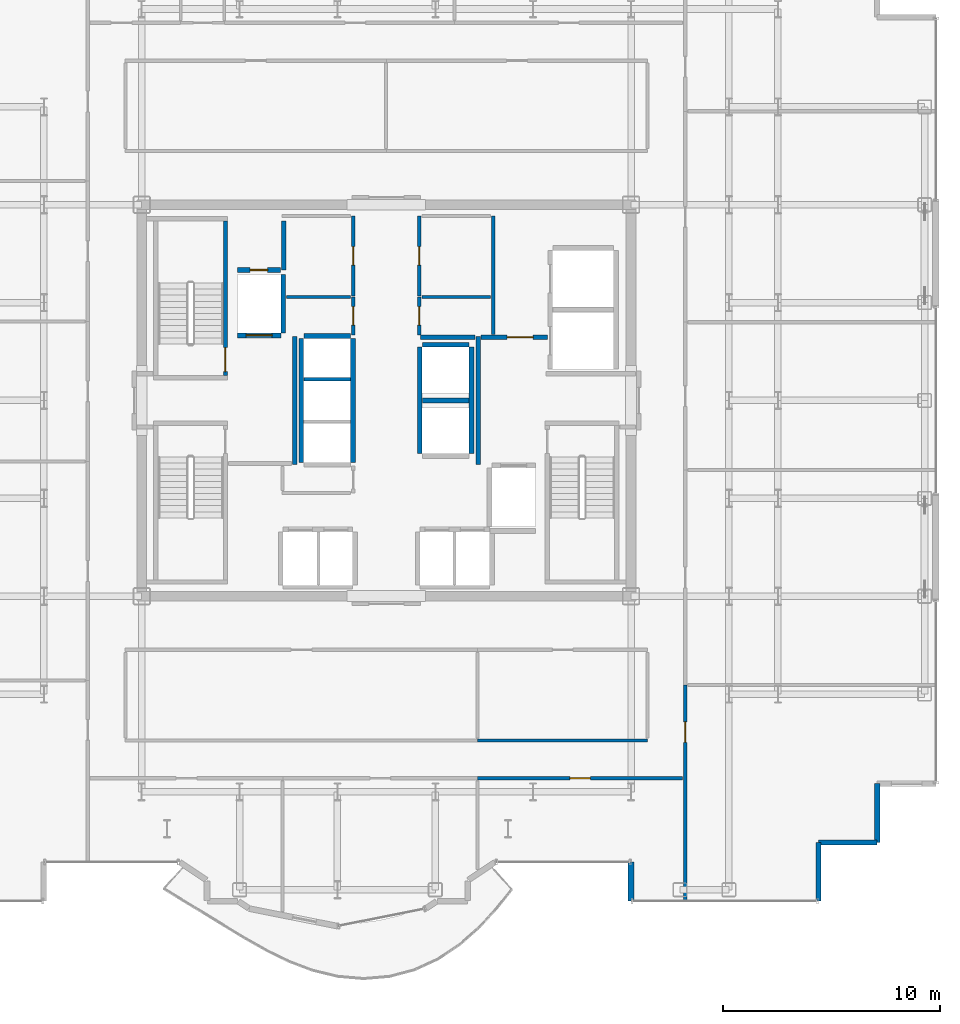
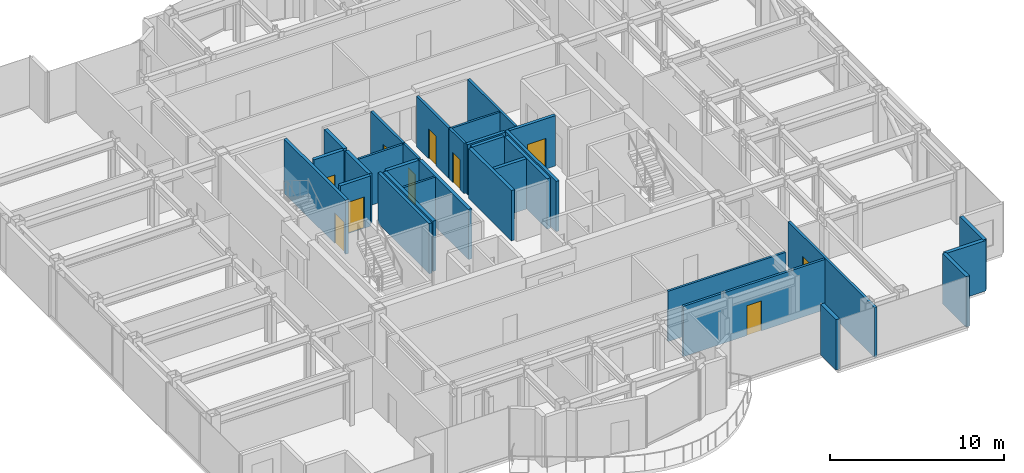
# One storey, part 17 of 22: 31 walls, 10 doors, 10 openings.
"""IFC4 building model written with IfcOpenShell, lengths in metres."""

import ifcopenshell
import ifcopenshell.guid

model = None  # the IFC model being written
_history = None  # IfcOwnerHistory: only IFC2X3 demands one
_inside = {}  # id of a spatial element -> (the spatial element, [elements in it])
_under = {}  # id of a project, library or spatial element -> (it, [spatial elements below it])
_declared = {}  # id of a project -> (the project, [libraries it declares])
_typed = {}  # id of a type object -> (the type object, [elements of that type])
_made_of = {}  # id of a material, layer set ... -> (it, [elements and type objects made of it])


def new_model(schema):
    """Start an empty IFC model of exactly this schema.

    Asked for "IFC4X3", IfcOpenShell would pick the latest addendum, in which some entities
    have other attributes; the version numbers below select the first issue.
    IFC2X3 requires an IfcOwnerHistory on every rooted entity: one is made here for all.
    """
    global model, _history
    if schema == "IFC4X3":
        model = ifcopenshell.file(schema_version=(4, 3, 0, 0))
    else:
        model = ifcopenshell.file(schema=schema)
    _inside.clear()
    _under.clear()
    _declared.clear()
    _typed.clear()
    _made_of.clear()
    _history = None
    if model.schema == "IFC2X3":
        org = make("IfcOrganization", Name="unknown")
        user = make(
            "IfcPersonAndOrganization",
            ThePerson=make("IfcPerson", FamilyName="unknown"),
            TheOrganization=org,
        )
        app = make(
            "IfcApplication",
            ApplicationDeveloper=org,
            Version="unknown",
            ApplicationFullName="unknown",
            ApplicationIdentifier="unknown",
        )
        _history = make(
            "IfcOwnerHistory",
            OwningUser=user,
            OwningApplication=app,
            ChangeAction="ADDED",
            CreationDate=0,
        )
    return model


def make(cls, **values):
    """One entity of the class cls with the attributes given. An attribute that is None is left unset."""
    return model.create_entity(
        cls, **{name: value for name, value in values.items() if value is not None}
    )


def rooted(cls, **values):
    """An entity with a GlobalId (a new one), such as an element, a storey or a relation."""
    return make(cls, GlobalId=ifcopenshell.guid.new(), OwnerHistory=_history, **values)


def si_unit(unit_type, name, prefix=None):
    """IfcSIUnit, for example si_unit("LENGTHUNIT", "METRE", prefix="MILLI")."""
    return make("IfcSIUnit", UnitType=unit_type, Prefix=prefix, Name=name)


def assignment(units):
    """IfcUnitAssignment: the units of a project."""
    return None if units is None else make("IfcUnitAssignment", Units=units)


def point(xyz):
    """IfcCartesianPoint."""
    return None if xyz is None else make("IfcCartesianPoint", Coordinates=xyz)


def direction(xyz):
    """IfcDirection."""
    return None if xyz is None else make("IfcDirection", DirectionRatios=xyz)


def frame(location, z_axis=None, x_axis=None):
    """IfcAxis2Placement3D, a coordinate frame: its origin and axes. An axis left out is left unset."""
    return make(
        "IfcAxis2Placement3D",
        Location=point(location),
        Axis=direction(z_axis),
        RefDirection=direction(x_axis),
    )


def frame_2d(location, x_axis=None):
    """IfcAxis2Placement2D, a coordinate frame in the plane: its origin and x axis."""
    return make(
        "IfcAxis2Placement2D", Location=point(location), RefDirection=direction(x_axis)
    )


def origin():
    """The frame at (0, 0, 0) with its axes left unset."""
    return frame((0.0, 0.0, 0.0))


def place(relative_to, where):
    """IfcLocalPlacement: puts the frame where relative to a parent placement (None: the world)."""
    return make(
        "IfcLocalPlacement", PlacementRelTo=relative_to, RelativePlacement=where
    )


def context(
    kind, dimensions, precision=None, world=None, true_north=None, identifier=None
):
    """IfcGeometricRepresentationContext, for example the 3D "Model" context."""
    return make(
        "IfcGeometricRepresentationContext",
        ContextIdentifier=identifier,
        ContextType=kind,
        CoordinateSpaceDimension=dimensions,
        Precision=precision,
        WorldCoordinateSystem=world,
        TrueNorth=true_north,
    )


def subcontext(parent, identifier, kind, view, scale=None):
    """IfcGeometricRepresentationSubContext, for example "Body" below "Model"."""
    return make(
        "IfcGeometricRepresentationSubContext",
        ContextIdentifier=identifier,
        ContextType=kind,
        ParentContext=parent,
        TargetScale=scale,
        TargetView=view,
    )


def project(units=None, contexts=None):
    """IfcProject with its units and contexts."""
    return rooted(
        "IfcProject",
        Name="project",
        RepresentationContexts=contexts,
        UnitsInContext=assignment(units),
    )


def spatial(cls, under=None, at=None, **own):
    """A site, building, storey or space (cls), placed at a placement, below another one or the project."""
    s = rooted(cls, ObjectPlacement=at, **own)
    if under is not None:
        _under.setdefault(under.id(), (under, []))[1].append(s)
    return s


def profile(cls, at=None, kind="AREA", **sizes):
    """A parametric profile (cls). Its sizes go by their IFC names, for example OverallWidth=200.0."""
    return make(cls, ProfileType=kind, Position=at, **sizes)


def rectangle(**sizes):
    """IfcRectangleProfileDef."""
    return profile("IfcRectangleProfileDef", **sizes)


def extrude(swept, where, along, depth):
    """IfcExtrudedAreaSolid: the profile swept, set in the frame where, extruded along a direction by depth."""
    return make(
        "IfcExtrudedAreaSolid",
        SweptArea=swept,
        Position=where,
        ExtrudedDirection=direction(along),
        Depth=depth,
    )


def shape(context_of_items, identifier, shape_type, items):
    """IfcShapeRepresentation: the items that make up one representation, for example the "Body"."""
    return make(
        "IfcShapeRepresentation",
        ContextOfItems=context_of_items,
        RepresentationIdentifier=identifier,
        RepresentationType=shape_type,
        Items=items,
    )


def source(mapping_origin, context_of_items, identifier, shape_type, items):
    """IfcRepresentationMap: a shape defined once, which mapped items show again and again."""
    return make(
        "IfcRepresentationMap",
        MappingOrigin=mapping_origin,
        MappedRepresentation=shape(context_of_items, identifier, shape_type, items),
    )


def transform(
    local_origin,
    x_axis=None,
    y_axis=None,
    z_axis=None,
    scale=None,
    scale2=None,
    scale3=None,
    uniform=True,
):
    """IfcCartesianTransformationOperator3D, or its non-uniform kind. x_axis, y_axis, z_axis: its Axis1, 2, 3."""
    if uniform:
        return make(
            "IfcCartesianTransformationOperator3D",
            Axis1=direction(x_axis),
            Axis2=direction(y_axis),
            LocalOrigin=point(local_origin),
            Scale=scale,
            Axis3=direction(z_axis),
        )
    return make(
        "IfcCartesianTransformationOperator3DnonUniform",
        Axis1=direction(x_axis),
        Axis2=direction(y_axis),
        LocalOrigin=point(local_origin),
        Scale=scale,
        Axis3=direction(z_axis),
        Scale2=scale2,
        Scale3=scale3,
    )


def mapped(mapping_source, mapping_target):
    """IfcMappedItem: shows the shape of a source again, moved by a transform."""
    return make(
        "IfcMappedItem", MappingSource=mapping_source, MappingTarget=mapping_target
    )


def material(Name=None, Category=None):
    """IfcMaterial."""
    return make("IfcMaterial", Name=Name, Category=Category)


def layer(
    of_material, thickness, ventilated=None, Name=None, Category=None, Priority=None
):
    """IfcMaterialLayer: one layer of a wall or slab, of a material (None: an air gap)."""
    return make(
        "IfcMaterialLayer",
        Material=of_material,
        LayerThickness=thickness,
        IsVentilated=ventilated,
        Name=Name,
        Category=Category,
        Priority=Priority,
    )


def layer_set(layers, Name=None):
    """IfcMaterialLayerSet."""
    return make("IfcMaterialLayerSet", MaterialLayers=layers, LayerSetName=Name)


def made_of(thing, what):
    """Note that an element or type object is made of a material, layer set ...; save() writes the relation."""
    if what is not None:
        _made_of.setdefault(what.id(), (what, []))[1].append(thing)
    return thing


def type_object(cls, material=None, **own):
    """A type object (cls), such as IfcWallType, which elements share."""
    return made_of(rooted(cls, **own), material)


def element(
    cls,
    number,
    at=None,
    inside=None,
    cuts=None,
    type_object=None,
    material=None,
    context=None,
    identifier="Body",
    shape_type=None,
    held_by="IfcProductDefinitionShape",
    body=None,
    shapes=None,
    **own,
):
    """One element of the class cls, such as IfcWall. Its Tag is "e" and its number.

    at: its placement. inside: the storey or other place that contains it. cuts: it is an
    opening in that element (IfcRelVoidsElement). A single representation is given by context,
    identifier, shape_type and body (its items); several are given by shapes. held_by: the class
    of the entity that holds the representations. save() writes the other relations.
    """
    e = rooted(cls, Tag="e%d" % number, ObjectPlacement=at, **own)
    if body is not None:
        shapes = [shape(context, identifier, shape_type, body)]
    if shapes is not None:
        e.Representation = make(held_by, Representations=shapes)
    if inside is not None:
        _inside.setdefault(inside.id(), (inside, []))[1].append(e)
    if cuts is not None:
        rooted(
            "IfcRelVoidsElement", RelatingBuildingElement=cuts, RelatedOpeningElement=e
        )
    if type_object is not None:
        _typed.setdefault(type_object.id(), (type_object, []))[1].append(e)
    return made_of(e, material)


def fill(opening, filler):
    """IfcRelFillsElement: the door or window that sits in an opening."""
    return rooted(
        "IfcRelFillsElement",
        RelatingOpeningElement=opening,
        RelatedBuildingElement=filler,
    )


def aggregate(whole, parts):
    """IfcRelAggregates: a whole, such as a stair, and the parts it consists of."""
    return rooted("IfcRelAggregates", RelatingObject=whole, RelatedObjects=parts)


def save(model, path):
    """Write the relations noted so far, then the file.

    IfcRelAggregates (storeys below a building ...), IfcRelContainedInSpatialStructure (elements
    in a storey), IfcRelDefinesByType, IfcRelAssociatesMaterial and IfcRelDeclares: one each for
    every whole, place, type object, material and project.
    """
    for whole, parts in _under.values():
        aggregate(whole, parts)
    for where, things in _inside.values():
        rooted(
            "IfcRelContainedInSpatialStructure",
            RelatedElements=things,
            RelatingStructure=where,
        )
    for kind, things in _typed.values():
        rooted("IfcRelDefinesByType", RelatedObjects=things, RelatingType=kind)
    for what, things in _made_of.values():
        rooted("IfcRelAssociatesMaterial", RelatedObjects=things, RelatingMaterial=what)
    for by, libraries in _declared.values():
        rooted("IfcRelDeclares", RelatingContext=by, RelatedDefinitions=libraries)
    model.write(path)


model = new_model("IFC4")

# Units and contexts
model_context = context("Model", 3, precision=1e-05, world=origin(), true_north=direction((0.0, 1.0)))
body_context = subcontext(model_context, "Body", "Model", "MODEL_VIEW")
ifc_project = project(units=[si_unit("LENGTHUNIT", "METRE"), si_unit("AREAUNIT", "SQUARE_METRE"), si_unit("VOLUMEUNIT", "CUBIC_METRE"), si_unit("PLANEANGLEUNIT", "RADIAN"), si_unit("MASSUNIT", "GRAM", prefix="KILO")], contexts=[model_context])

# Site, building, storey
site_placement = place(None, origin())
site = spatial("IfcSite", under=ifc_project, at=site_placement, CompositionType="ELEMENT")
building_placement = place(site_placement, origin())
building = spatial("IfcBuilding", under=site, at=building_placement, Name="Nefas-Gora Pilgrimage Tower", CompositionType="ELEMENT")
storey_placement = place(building_placement, frame((0.0, 0.0, 218.0)))
storey = spatial("IfcBuildingStorey", under=building, at=storey_placement, Name="L54", CompositionType="ELEMENT", Elevation=218.0)

# Walls
ifc_material_1 = material(Name="Precast concrete C40/50", Category="concrete")
ifc_layer_1 = layer(ifc_material_1, 0.260009765625)
ifc_layer_set_1 = layer_set([ifc_layer_1], Name="Precast concrete C40/50")
wall_type_1 = type_object("IfcWallType", Name="EW-PORTAL-260", PredefinedType="SOLIDWALL", material=ifc_layer_set_1)
shared_shape_1 = source(origin(), body_context, "Body", "SweptSolid", [
    extrude(rectangle(XDim=1.800048828125, YDim=0.260009765625, at=frame_2d((0.89990234375, 0.0))), origin(), (0.0, 0.0, 1.0), 3.550048828125),
])
wall_1_placement = place(storey_placement, frame((11.25, -21.219970703125, 0.0), z_axis=(0.0, 0.0, 1.0), x_axis=(0.0, -1.0, 0.0)))
element("IfcWall", 1, at=wall_1_placement, inside=storey, type_object=wall_type_1, Name="L54 Lobe Shoulder Precast Spandrel Pier 5", PredefinedType="SOLIDWALL", context=body_context, shape_type="MappedRepresentation", body=[
    mapped(shared_shape_1, transform((0.0, 0.0, 0.0), x_axis=(1.0, 0.0, 0.0), y_axis=(0.0, 1.0, 0.0), z_axis=(0.0, 0.0, 1.0), scale=1.0)),
])
ifc_material_2 = material(Name="Precast concrete C45/55", Category="concrete")
ifc_layer_2 = layer(ifc_material_2, 0.239990234375)
ifc_layer_set_2 = layer_set([ifc_layer_2], Name="Precast concrete C45/55")
wall_type_2 = type_object("IfcWallType", Name="EW-SERR-240", PredefinedType="SHEAR", material=ifc_layer_set_2)
shared_shape_2 = source(origin(), body_context, "Body", "SweptSolid", [
    extrude(rectangle(XDim=2.699951171875, YDim=0.239990234375, at=frame_2d((1.35009765625, 0.0))), origin(), (0.0, 0.0, 1.0), 3.550048828125),
])
for number, where, z_axis, x_axis, name in (
    (2, (19.8701171875, -23.02001953125, 0.0), (0.0, 0.0, 1.0), (0.0, 1.0, 0.0), "L54 Serrated Corner Shear Pier Wall 6"),
    (3, (19.8701171875, -20.320068359375, 0.0), (0.0, 0.0, 1.0), (1.0, 0.0, 0.0), "L54 Serrated Corner Shear Pier Wall 7"),
    (4, (22.570068359375, -20.320068359375, 0.0), (0.0, 0.0, 1.0), (0.0, 1.0, 0.0), "L54 Serrated Corner Shear Pier Wall 8"),
):
    element("IfcWall", number, at=place(storey_placement, frame(where, z_axis=z_axis, x_axis=x_axis)), inside=storey, type_object=wall_type_2, Name=name, PredefinedType="SHEAR", context=body_context, shape_type="MappedRepresentation", body=[
        mapped(shared_shape_2, transform((0.0, 0.0, 0.0), x_axis=(1.0, 0.0, 0.0), y_axis=(0.0, 1.0, 0.0), z_axis=(0.0, 0.0, 1.0), scale=1.0)),
    ])

# Wall, opening, door
ifc_material_3 = material(Name="Concrete C45/55", Category="concrete")
ifc_layer_3 = layer(ifc_material_3, 0.199951171875)
ifc_layer_set_3 = layer_set([ifc_layer_3], Name="Concrete C45/55")
wall_type_3 = type_object("IfcWallType", Name="IW-STAIR-200", PredefinedType="SOLIDWALL", material=ifc_layer_set_3)
shared_shape_3 = source(origin(), body_context, "Body", "SweptSolid", [
    extrude(rectangle(XDim=7.10009765625, YDim=0.199951171875, at=frame_2d((3.550048828125, 0.0))), origin(), (0.0, 0.0, 1.0), 3.800048828125),
])
wall_2_placement = place(storey_placement, frame((-7.39990234375, 1.14990234375, 0.0), z_axis=(0.0, 0.0, 1.0), x_axis=(0.0, 1.0, 0.0)))
wall_2 = element("IfcWall", 5, at=wall_2_placement, inside=storey, type_object=wall_type_3, Name="L54 Stairwell Shear Wall ST-01-left", PredefinedType="SOLIDWALL", context=body_context, shape_type="MappedRepresentation", body=[
    mapped(shared_shape_3, transform((0.0, 0.0, 0.0), x_axis=(1.0, 0.0, 0.0), y_axis=(0.0, 1.0, 0.0), z_axis=(0.0, 0.0, 1.0), scale=1.0)),
])
opening_1_placement = place(wall_2_placement, frame((0.179931640625, 0.0, 0.0)))
opening_1 = element("IfcOpeningElement", 6, at=opening_1_placement, cuts=wall_2, Name="Opening ID-ST1", PredefinedType="OPENING", context=body_context, shape_type="SweptSolid", body=[
    extrude(rectangle(XDim=1.10009765625, YDim=2.14990234375, at=frame_2d((0.550048828125, 1.074951171875))), frame((0.0, 0.10986328125, 0.0), z_axis=(0.0, -1.0, 0.0), x_axis=(1.0, 0.0, 0.0)), (0.0, 0.0, 1.0), 0.219970703125),
])
ifc_material_4 = material(Name="Painted galvanised steel fire stair door", Category="steel")
door_type_1 = type_object("IfcDoorType", Name="DR-INT-STAIR-1100", OperationType="NOTDEFINED", PredefinedType="DOOR", material=ifc_material_4)
shared_shape_4 = source(origin(), body_context, "Body", "SweptSolid", [
    extrude(rectangle(XDim=1.10009765625, YDim=2.14990234375, at=frame_2d((0.550048828125, 1.074951171875))), frame((0.0, 0.02490234375, 0.0), z_axis=(0.0, -1.0, 0.0), x_axis=(1.0, 0.0, 0.0)), (0.0, 0.0, 1.0), 0.050048828125),
])
door_1_placement = place(opening_1_placement, origin())
door_1 = element("IfcDoor", 7, at=door_1_placement, inside=storey, type_object=door_type_1, Name="L54 Protected Exit Stair Door ST-01", OperationType="SINGLE_SWING_RIGHT", OverallHeight=2.14990234375, OverallWidth=1.10009765625, PredefinedType="DOOR", context=body_context, shape_type="MappedRepresentation", body=[
    mapped(shared_shape_4, transform((0.0, 0.0, 0.0), x_axis=(1.0, 0.0, 0.0), y_axis=(0.0, 1.0, 0.0), z_axis=(0.0, 0.0, 1.0), scale=1.0)),
])
fill(opening_1, door_1)

ifc_material_5 = material(Name="Concrete C40/50", Category="concrete")
ifc_layer_4 = layer(ifc_material_5, 0.219970703125)
ifc_layer_set_4 = layer_set([ifc_layer_4], Name="Concrete C40/50")
wall_type_4 = type_object("IfcWallType", Name="IW-SHAFT-220", PredefinedType="SOLIDWALL", material=ifc_layer_set_4)
shared_shape_5 = source(origin(), body_context, "Body", "SweptSolid", [
    extrude(rectangle(XDim=2.0, YDim=0.219970703125, at=frame_2d((1.0, 0.0))), origin(), (0.0, 0.0, 1.0), 3.534912109375),
])
wall_3_placement = place(storey_placement, frame((-6.85009765625, 2.989990234375, 0.0), z_axis=(0.0, 0.0, 1.0), x_axis=(1.0, 0.0, 0.0)))
wall_3 = element("IfcWall", 8, at=wall_3_placement, inside=storey, type_object=wall_type_4, Name="L54 Hoistway Wall FFL-01-S", PredefinedType="SOLIDWALL", context=body_context, shape_type="MappedRepresentation", body=[
    mapped(shared_shape_5, transform((0.0, 0.0, 0.0), x_axis=(1.0, 0.0, 0.0), y_axis=(0.0, 1.0, 0.0), z_axis=(0.0, 0.0, 1.0), scale=1.0)),
])
opening_2_placement = place(wall_3_placement, frame((0.39990234375, 0.0, 0.0)))
opening_2 = element("IfcOpeningElement", 9, at=opening_2_placement, cuts=wall_3, Name="Opening LD-FF", PredefinedType="OPENING", context=body_context, shape_type="SweptSolid", body=[
    extrude(rectangle(XDim=1.199951171875, YDim=2.199951171875, at=frame_2d((0.60009765625, 1.10009765625))), frame((0.0, 0.119873046875, 0.0), z_axis=(0.0, -1.0, 0.0), x_axis=(1.0, 0.0, 0.0)), (0.0, 0.0, 1.0), 0.239990234375),
])
ifc_material_6 = material(Name="Fire-service sliding lift landing door")
door_type_2 = type_object("IfcDoorType", Name="DR-LIFT-FSAE-1200", OperationType="SLIDING_TO_LEFT", PredefinedType="DOOR", material=ifc_material_6)
shared_shape_6 = source(origin(), body_context, "Body", "SweptSolid", [
    extrude(rectangle(XDim=1.199951171875, YDim=2.199951171875, at=frame_2d((0.60009765625, 1.10009765625))), frame((0.0, 0.02490234375, 0.0), z_axis=(0.0, -1.0, 0.0), x_axis=(1.0, 0.0, 0.0)), (0.0, 0.0, 1.0), 0.050048828125),
])
door_2_placement = place(opening_2_placement, origin())
door_2 = element("IfcDoor", 10, at=door_2_placement, inside=storey, type_object=door_type_2, Name="L54 Sliding Lift Landing Door FFL-01", OperationType="SLIDING_TO_LEFT", OverallHeight=2.199951171875, OverallWidth=1.199951171875, PredefinedType="DOOR", context=body_context, shape_type="MappedRepresentation", body=[
    mapped(shared_shape_6, transform((0.0, 0.0, 0.0), x_axis=(1.0, 0.0, 0.0), y_axis=(0.0, 1.0, 0.0), z_axis=(0.0, 0.0, 1.0), scale=1.0)),
])
fill(opening_2, door_2)

# Walls
shared_shape_7 = source(origin(), body_context, "Body", "SweptSolid", [
    extrude(rectangle(XDim=2.679931640625, YDim=0.219970703125, at=frame_2d((1.33984375, 0.0))), origin(), (0.0, 0.0, 1.0), 3.534912109375),
])
wall_4_placement = place(storey_placement, frame((-4.739990234375, 3.110107421875, 0.0), z_axis=(0.0, 0.0, 1.0), x_axis=(0.0, 1.0, 0.0)))
element("IfcWall", 11, at=wall_4_placement, inside=storey, type_object=wall_type_4, Name="L54 Hoistway Wall FFL-01-E", PredefinedType="SOLIDWALL", context=body_context, shape_type="MappedRepresentation", body=[
    mapped(shared_shape_7, transform((0.0, 0.0, 0.0), x_axis=(1.0, 0.0, 0.0), y_axis=(0.0, 1.0, 0.0), z_axis=(0.0, 0.0, 1.0), scale=1.0)),
])
shared_shape_8 = source(origin(), body_context, "Body", "SweptSolid", [
    extrude(rectangle(XDim=5.7001953125, YDim=0.219970703125, at=frame_2d((2.85009765625, 0.0))), origin(), (0.0, 0.0, 1.0), 3.534912109375),
])
for number, where, z_axis, x_axis, name in (
    (12, (-1.5400390625, -2.85009765625, 0.0), (0.0, 0.0, 1.0), (0.0, 1.0, 0.0), "L54 Hoistway Wall PL3-01-03-E"),
    (13, (-3.909912109375, 2.85009765625, 0.0), (0.0, 0.0, 1.0), (0.0, -1.0, 0.0), "L54 Hoistway Wall PL3-01-03-W"),
):
    element("IfcWall", number, at=place(storey_placement, frame(where, z_axis=z_axis, x_axis=x_axis)), inside=storey, type_object=wall_type_4, Name=name, PredefinedType="SOLIDWALL", context=body_context, shape_type="MappedRepresentation", body=[
        mapped(shared_shape_8, transform((0.0, 0.0, 0.0), x_axis=(1.0, 0.0, 0.0), y_axis=(0.0, 1.0, 0.0), z_axis=(0.0, 0.0, 1.0), scale=1.0)),
    ])
shared_shape_9 = source(origin(), body_context, "Body", "SweptSolid", [
    extrude(rectangle(XDim=2.130126953125, YDim=0.219970703125, at=frame_2d((1.06494140625, 0.0))), origin(), (0.0, 0.0, 1.0), 3.534912109375),
])
for number, where, z_axis, x_axis, name in (
    (14, (-1.659912109375, 2.9599609375, 0.0), (0.0, 0.0, 1.0), (-1.0, 0.0, 0.0), "L54 Hoistway Wall PL3-03-N"),
    (15, (1.659912109375, 0.0, 0.0), (0.0, 0.0, 1.0), (1.0, 0.0, 0.0), "L54 Hoistway Wall OBS-01-02-DIV"),
    (16, (3.7900390625, 2.56005859375, 0.0), (0.0, 0.0, 1.0), (-1.0, 0.0, 0.0), "L54 Hoistway Wall OBS-02-N"),
):
    element("IfcWall", number, at=place(storey_placement, frame(where, z_axis=z_axis, x_axis=x_axis)), inside=storey, type_object=wall_type_4, Name=name, PredefinedType="SOLIDWALL", context=body_context, shape_type="MappedRepresentation", body=[
        mapped(shared_shape_9, transform((0.0, 0.0, 0.0), x_axis=(1.0, 0.0, 0.0), y_axis=(0.0, 1.0, 0.0), z_axis=(0.0, 0.0, 1.0), scale=1.0)),
    ])
ifc_material_7 = material(Name="Gypsum twin-stud partition")
ifc_layer_5 = layer(ifc_material_7, 0.139892578125)
ifc_layer_set_5 = layer_set([ifc_layer_5], Name="Gypsum twin-stud partition")
wall_type_5 = type_object("IfcWallType", Name="IW-UNIT-140", PredefinedType="PARTITIONING", material=ifc_layer_set_5)
shared_shape_10 = source(origin(), body_context, "Body", "SweptSolid", [
    extrude(rectangle(XDim=2.130126953125, YDim=0.139892578125, at=frame_2d((1.06494140625, 0.0))), origin(), (0.0, 0.0, 1.0), 3.534912109375),
])
wall_5_placement = place(storey_placement, frame((-3.7900390625, 0.97509765625, 0.0), z_axis=(0.0, 0.0, 1.0), x_axis=(1.0, 0.0, 0.0)))
element("IfcWall", 17, at=wall_5_placement, inside=storey, type_object=wall_type_5, Name="L54 Hoistway Wall PL3-02-03-DIV", PredefinedType="PARTITIONING", context=body_context, shape_type="MappedRepresentation", body=[
    mapped(shared_shape_10, transform((0.0, 0.0, 0.0), x_axis=(1.0, 0.0, 0.0), y_axis=(0.0, 1.0, 0.0), z_axis=(0.0, 0.0, 1.0), scale=1.0)),
])
shared_shape_11 = source(origin(), body_context, "Body", "SweptSolid", [
    extrude(rectangle(XDim=4.89990234375, YDim=0.219970703125, at=frame_2d((2.449951171875, 0.0))), origin(), (0.0, 0.0, 1.0), 3.534912109375),
])
for number, where, z_axis, x_axis, name in (
    (18, (1.5400390625, 2.449951171875, 0.0), (0.0, 0.0, 1.0), (0.0, -1.0, 0.0), "L54 Hoistway Wall OBS-01-02-W"),
    (19, (3.909912109375, -2.449951171875, 0.0), (0.0, 0.0, 1.0), (0.0, 1.0, 0.0), "L54 Hoistway Wall OBS-01-02-E"),
):
    element("IfcWall", number, at=place(storey_placement, frame(where, z_axis=z_axis, x_axis=x_axis)), inside=storey, type_object=wall_type_4, Name=name, PredefinedType="SOLIDWALL", context=body_context, shape_type="MappedRepresentation", body=[
        mapped(shared_shape_11, transform((0.0, 0.0, 0.0), x_axis=(1.0, 0.0, 0.0), y_axis=(0.0, 1.0, 0.0), z_axis=(0.0, 0.0, 1.0), scale=1.0)),
    ])
ifc_material_8 = material(Name="Gypsum fire-rated shaftwall")
ifc_layer_6 = layer(ifc_material_8, 0.199951171875)
ifc_layer_set_6 = layer_set([ifc_layer_6], Name="Gypsum fire-rated shaftwall")
wall_type_6 = type_object("IfcWallType", Name="IW-FFLOB-200", PredefinedType="PARTITIONING", material=ifc_layer_set_6)
shared_shape_12 = source(origin(), body_context, "Body", "SweptSolid", [
    extrude(rectangle(XDim=5.89990234375, YDim=0.199951171875, at=frame_2d((2.949951171875, 0.0))), origin(), (0.0, 0.0, 1.0), 3.534912109375),
])
for number, where, z_axis, x_axis, name in (
    (20, (-4.219970703125, -2.949951171875, 0.0), (0.0, 0.0, 1.0), (0.0, 1.0, 0.0), "L54 FF Lobby West Inner Wall Wall 5"),
    (21, (4.219970703125, -2.949951171875, 0.0), (0.0, 0.0, 1.0), (0.0, 1.0, 0.0), "L54 FF Lobby East Inner Wall Wall 10"),
):
    element("IfcWall", number, at=place(storey_placement, frame(where, z_axis=z_axis, x_axis=x_axis)), inside=storey, type_object=wall_type_6, Name=name, PredefinedType="PARTITIONING", context=body_context, shape_type="MappedRepresentation", body=[
        mapped(shared_shape_12, transform((0.0, 0.0, 0.0), x_axis=(1.0, 0.0, 0.0), y_axis=(0.0, 1.0, 0.0), z_axis=(0.0, 0.0, 1.0), scale=1.0)),
    ])

# Wall, opening, door
shared_shape_13 = source(origin(), body_context, "Body", "SweptSolid", [
    extrude(rectangle(XDim=3.039794921875, YDim=0.199951171875, at=frame_2d((1.52001953125, 0.0))), origin(), (0.0, 0.0, 1.0), 3.534912109375),
])
wall_6_placement = place(storey_placement, frame((4.360107421875, 2.89990234375, 0.0), z_axis=(0.0, 0.0, 1.0), x_axis=(1.0, 0.0, 0.0)))
wall_6 = element("IfcWall", 22, at=wall_6_placement, inside=storey, type_object=wall_type_6, Name="L54 FF Lobby East North Wall Wall 12", PredefinedType="PARTITIONING", context=body_context, shape_type="MappedRepresentation", body=[
    mapped(shared_shape_13, transform((0.0, 0.0, 0.0), x_axis=(1.0, 0.0, 0.0), y_axis=(0.0, 1.0, 0.0), z_axis=(0.0, 0.0, 1.0), scale=1.0)),
])
opening_3_placement = place(wall_6_placement, frame((1.18994140625, 0.0, 0.0)))
opening_3 = element("IfcOpeningElement", 23, at=opening_3_placement, cuts=wall_6, Name="Opening ID-PL1", PredefinedType="OPENING", context=body_context, shape_type="SweptSolid", body=[
    extrude(rectangle(XDim=1.199951171875, YDim=2.14990234375, at=frame_2d((0.60009765625, 1.074951171875))), frame((0.0, 0.10986328125, 0.0), z_axis=(0.0, -1.0, 0.0), x_axis=(1.0, 0.0, 0.0)), (0.0, 0.0, 1.0), 0.219970703125),
])
ifc_material_9 = material(Name="Heavy-duty steel plant room fire door", Category="steel")
door_type_3 = type_object("IfcDoorType", Name="DR-INT-PLANT-1200", OperationType="NOTDEFINED", PredefinedType="DOOR", material=ifc_material_9)
shared_shape_14 = source(origin(), body_context, "Body", "SweptSolid", [
    extrude(rectangle(XDim=1.199951171875, YDim=2.14990234375, at=frame_2d((0.60009765625, 1.074951171875))), frame((0.0, 0.02490234375, 0.0), z_axis=(0.0, -1.0, 0.0), x_axis=(1.0, 0.0, 0.0)), (0.0, 0.0, 1.0), 0.050048828125),
])
door_3_placement = place(opening_3_placement, origin())
door_3 = element("IfcDoor", 24, at=door_3_placement, inside=storey, type_object=door_type_3, Name="L54 Service Lift Lobby Door Door 4", OperationType="SINGLE_SWING_RIGHT", OverallHeight=2.14990234375, OverallWidth=1.199951171875, PredefinedType="DOOR", context=body_context, shape_type="MappedRepresentation", body=[
    mapped(shared_shape_14, transform((0.0, 0.0, 0.0), x_axis=(1.0, 0.0, 0.0), y_axis=(0.0, 1.0, 0.0), z_axis=(0.0, 0.0, 1.0), scale=1.0)),
])
fill(opening_3, door_3)

# Walls
shared_shape_15 = source(origin(), body_context, "Body", "SweptSolid", [
    extrude(rectangle(XDim=2.9501953125, YDim=0.139892578125, at=frame_2d((1.47509765625, 0.0))), origin(), (0.0, 0.0, 1.0), 3.534912109375),
])
wall_7_placement = place(storey_placement, frame((-4.590087890625, 4.75, 0.0), z_axis=(0.0, 0.0, 1.0), x_axis=(1.0, 0.0, 0.0)))
element("IfcWall", 25, at=wall_7_placement, inside=storey, type_object=wall_type_5, Name="L54 Housekeeping and Linen Store Partition Wall 19", PredefinedType="PARTITIONING", context=body_context, shape_type="MappedRepresentation", body=[
    mapped(shared_shape_15, transform((0.0, 0.0, 0.0), x_axis=(1.0, 0.0, 0.0), y_axis=(0.0, 1.0, 0.0), z_axis=(0.0, 0.0, 1.0), scale=1.0)),
])
shared_shape_16 = source(origin(), body_context, "Body", "SweptSolid", [
    extrude(rectangle(XDim=3.150146484375, YDim=0.139892578125, at=frame_2d((1.5751953125, 0.0))), origin(), (0.0, 0.0, 1.0), 3.534912109375),
])
wall_8_placement = place(storey_placement, frame((1.639892578125, 4.75, 0.0), z_axis=(0.0, 0.0, 1.0), x_axis=(1.0, 0.0, 0.0)))
element("IfcWall", 26, at=wall_8_placement, inside=storey, type_object=wall_type_5, Name="L54 Clean Blanket and Robe Store Partition Wall 23", PredefinedType="PARTITIONING", context=body_context, shape_type="MappedRepresentation", body=[
    mapped(shared_shape_16, transform((0.0, 0.0, 0.0), x_axis=(1.0, 0.0, 0.0), y_axis=(0.0, 1.0, 0.0), z_axis=(0.0, 0.0, 1.0), scale=1.0)),
])
shared_shape_17 = source(origin(), body_context, "Body", "SweptSolid", [
    extrude(rectangle(XDim=2.25, YDim=0.219970703125, at=frame_2d((1.125, 0.0))), origin(), (0.0, 0.0, 1.0), 3.534912109375),
])
wall_9_placement = place(storey_placement, frame((-4.719970703125, 6.0, 0.0), z_axis=(0.0, 0.0, 1.0), x_axis=(0.0, 1.0, 0.0)))
element("IfcWall", 27, at=wall_9_placement, inside=storey, type_object=wall_type_4, Name="L54 Riser Shaft Wall 1", PredefinedType="SOLIDWALL", context=body_context, shape_type="MappedRepresentation", body=[
    mapped(shared_shape_17, transform((0.0, 0.0, 0.0), x_axis=(1.0, 0.0, 0.0), y_axis=(0.0, 1.0, 0.0), z_axis=(0.0, 0.0, 1.0), scale=1.0)),
])

# Wall, opening, door
shared_shape_18 = source(origin(), body_context, "Body", "SweptSolid", [
    extrude(rectangle(XDim=1.97998046875, YDim=0.219970703125, at=frame_2d((0.989990234375, 0.0))), origin(), (0.0, 0.0, 1.0), 3.534912109375),
])
wall_10_placement = place(storey_placement, frame((-6.85009765625, 6.0, 0.0), z_axis=(0.0, 0.0, 1.0), x_axis=(1.0, 0.0, 0.0)))
wall_10 = element("IfcWall", 28, at=wall_10_placement, inside=storey, type_object=wall_type_4, Name="L54 Riser Shaft Wall 2", PredefinedType="SOLIDWALL", context=body_context, shape_type="MappedRepresentation", body=[
    mapped(shared_shape_18, transform((0.0, 0.0, 0.0), x_axis=(1.0, 0.0, 0.0), y_axis=(0.0, 1.0, 0.0), z_axis=(0.0, 0.0, 1.0), scale=1.0)),
])
opening_4_placement = place(wall_10_placement, frame((0.590087890625, 0.0, 0.0)))
opening_4 = element("IfcOpeningElement", 29, at=opening_4_placement, cuts=wall_10, Name="Opening ID-TR1", PredefinedType="OPENING", context=body_context, shape_type="SweptSolid", body=[
    extrude(rectangle(XDim=0.800048828125, YDim=2.0, at=frame_2d((0.39990234375, 1.0))), frame((0.0, 0.119873046875, 0.0), z_axis=(0.0, -1.0, 0.0), x_axis=(1.0, 0.0, 0.0)), (0.0, 0.0, 1.0), 0.239990234375),
])
ifc_material_10 = material(Name="Riser maintenance fire access door")
door_type_4 = type_object("IfcDoorType", Name="DR-INT-TRAP-800", OperationType="NOTDEFINED", PredefinedType="TRAPDOOR", material=ifc_material_10)
shared_shape_19 = source(origin(), body_context, "Body", "SweptSolid", [
    extrude(rectangle(XDim=0.800048828125, YDim=2.0, at=frame_2d((0.39990234375, 1.0))), frame((0.0, 0.02490234375, 0.0), z_axis=(0.0, -1.0, 0.0), x_axis=(1.0, 0.0, 0.0)), (0.0, 0.0, 1.0), 0.050048828125),
])
door_4_placement = place(opening_4_placement, origin())
door_4 = element("IfcDoor", 30, at=door_4_placement, inside=storey, type_object=door_type_4, Name="L54 Riser Shaft Door 1", OperationType="SINGLE_SWING_LEFT", OverallHeight=2.0, OverallWidth=0.800048828125, PredefinedType="TRAPDOOR", context=body_context, shape_type="MappedRepresentation", body=[
    mapped(shared_shape_19, transform((0.0, 0.0, 0.0), x_axis=(1.0, 0.0, 0.0), y_axis=(0.0, 1.0, 0.0), z_axis=(0.0, 0.0, 1.0), scale=1.0)),
])
fill(opening_4, door_4)

# Walls
shared_shape_20 = source(origin(), body_context, "Body", "SweptSolid", [
    extrude(rectangle(XDim=2.52001953125, YDim=0.199951171875, at=frame_2d((1.260009765625, 0.0))), origin(), (0.0, 0.0, 1.0), 3.534912109375),
])
wall_11_placement = place(storey_placement, frame((1.56005859375, 2.89990234375, 0.0), z_axis=(0.0, 0.0, 1.0), x_axis=(1.0, 0.0, 0.0)))
element("IfcWall", 31, at=wall_11_placement, inside=storey, type_object=wall_type_6, Name="L54 FF Lobby East North Wall Wall 11", PredefinedType="PARTITIONING", context=body_context, shape_type="MappedRepresentation", body=[
    mapped(shared_shape_20, transform((0.0, 0.0, 0.0), x_axis=(1.0, 0.0, 0.0), y_axis=(0.0, 1.0, 0.0), z_axis=(0.0, 0.0, 1.0), scale=1.0)),
])
ifc_material_11 = material(Name="Gypsum acoustic stud partition")
ifc_layer_7 = layer(ifc_material_11, 0.159912109375)
ifc_layer_set_7 = layer_set([ifc_layer_7], Name="Gypsum acoustic stud partition")
wall_type_7 = type_object("IfcWallType", Name="IW-CORR-160", PredefinedType="PARTITIONING", material=ifc_layer_set_7)
shared_shape_21 = source(origin(), body_context, "Body", "SweptSolid", [
    extrude(rectangle(XDim=5.449951171875, YDim=0.159912109375, at=frame_2d((2.72509765625, 0.0))), origin(), (0.0, 0.0, 1.0), 3.534912109375),
])
wall_12_placement = place(storey_placement, frame((4.919921875, 3.0400390625, 0.0), z_axis=(0.0, 0.0, 1.0), x_axis=(0.0, 1.0, 0.0)))
element("IfcWall", 32, at=wall_12_placement, inside=storey, type_object=wall_type_7, Name="L54 Service Lift Lobby West Wall Wall 17", PredefinedType="PARTITIONING", context=body_context, shape_type="MappedRepresentation", body=[
    mapped(shared_shape_21, transform((0.0, 0.0, 0.0), x_axis=(1.0, 0.0, 0.0), y_axis=(0.0, 1.0, 0.0), z_axis=(0.0, 0.0, 1.0), scale=1.0)),
])

# Wall, opening, door
shared_shape_22 = source(origin(), body_context, "Body", "SweptSolid", [
    extrude(rectangle(XDim=1.75, YDim=0.159912109375, at=frame_2d((0.875, 0.0))), origin(), (0.0, 0.0, 1.0), 3.534912109375),
])
wall_13_placement = place(storey_placement, frame((-1.52001953125, 3.010009765625, 0.0), z_axis=(0.0, 0.0, 1.0), x_axis=(0.0, 1.0, 0.0)))
wall_13 = element("IfcWall", 33, at=wall_13_placement, inside=storey, type_object=wall_type_7, Name="L54 Housekeeping and Linen Store Wall 18", PredefinedType="PARTITIONING", context=body_context, shape_type="MappedRepresentation", body=[
    mapped(shared_shape_22, transform((0.0, 0.0, 0.0), x_axis=(1.0, 0.0, 0.0), y_axis=(0.0, 1.0, 0.0), z_axis=(0.0, 0.0, 1.0), scale=1.0)),
])
opening_5_placement = place(wall_13_placement, frame((0.449951171875, 0.0, 0.0)))
opening_5 = element("IfcOpeningElement", 34, at=opening_5_placement, cuts=wall_13, Name="Opening ID-BT1", PredefinedType="OPENING", context=body_context, shape_type="SweptSolid", body=[
    extrude(rectangle(XDim=0.85009765625, YDim=2.10009765625, at=frame_2d((0.425048828125, 1.050048828125))), frame((0.0, 0.08984375, 0.0), z_axis=(0.0, -1.0, 0.0), x_axis=(1.0, 0.0, 0.0)), (0.0, 0.0, 1.0), 0.179931640625),
])
ifc_material_12 = material(Name="Moisture-resistant fire-rated timber door", Category="wood")
door_type_5 = type_object("IfcDoorType", Name="DR-INT-BATH-850", OperationType="NOTDEFINED", PredefinedType="DOOR", material=ifc_material_12)
shared_shape_23 = source(origin(), body_context, "Body", "SweptSolid", [
    extrude(rectangle(XDim=0.85009765625, YDim=2.10009765625, at=frame_2d((0.425048828125, 1.050048828125))), frame((0.0, 0.02490234375, 0.0), z_axis=(0.0, -1.0, 0.0), x_axis=(1.0, 0.0, 0.0)), (0.0, 0.0, 1.0), 0.050048828125),
])
door_5_placement = place(opening_5_placement, origin())
door_5 = element("IfcDoor", 35, at=door_5_placement, inside=storey, type_object=door_type_5, Name="L54 Housekeeping and Linen Store Door 7", OperationType="SINGLE_SWING_LEFT", OverallHeight=2.10009765625, OverallWidth=0.85009765625, PredefinedType="DOOR", context=body_context, shape_type="MappedRepresentation", body=[
    mapped(shared_shape_23, transform((0.0, 0.0, 0.0), x_axis=(1.0, 0.0, 0.0), y_axis=(0.0, 1.0, 0.0), z_axis=(0.0, 0.0, 1.0), scale=1.0)),
])
fill(opening_5, door_5)

wall_14_placement = place(storey_placement, frame((1.52001953125, 3.010009765625, 0.0), z_axis=(0.0, 0.0, 1.0), x_axis=(0.0, 1.0, 0.0)))
wall_14 = element("IfcWall", 36, at=wall_14_placement, inside=storey, type_object=wall_type_7, Name="L54 Clean Blanket and Robe Store Wall 22", PredefinedType="PARTITIONING", context=body_context, shape_type="MappedRepresentation", body=[
    mapped(shared_shape_22, transform((0.0, 0.0, 0.0), x_axis=(1.0, 0.0, 0.0), y_axis=(0.0, 1.0, 0.0), z_axis=(0.0, 0.0, 1.0), scale=1.0)),
])
opening_6_placement = place(wall_14_placement, frame((0.449951171875, 0.0, 0.0)))
opening_6 = element("IfcOpeningElement", 37, at=opening_6_placement, cuts=wall_14, Name="Opening ID-BT1", PredefinedType="OPENING", context=body_context, shape_type="SweptSolid", body=[
    extrude(rectangle(XDim=0.85009765625, YDim=2.10009765625, at=frame_2d((0.425048828125, 1.050048828125))), frame((0.0, 0.08984375, 0.0), z_axis=(0.0, -1.0, 0.0), x_axis=(1.0, 0.0, 0.0)), (0.0, 0.0, 1.0), 0.179931640625),
])
door_6_placement = place(opening_6_placement, origin())
door_6 = element("IfcDoor", 38, at=door_6_placement, inside=storey, type_object=door_type_5, Name="L54 Clean Blanket and Robe Store Door 9", OperationType="SINGLE_SWING_LEFT", OverallHeight=2.10009765625, OverallWidth=0.85009765625, PredefinedType="DOOR", context=body_context, shape_type="MappedRepresentation", body=[
    mapped(shared_shape_23, transform((0.0, 0.0, 0.0), x_axis=(1.0, 0.0, 0.0), y_axis=(0.0, 1.0, 0.0), z_axis=(0.0, 0.0, 1.0), scale=1.0)),
])
fill(opening_6, door_6)

shared_shape_24 = source(origin(), body_context, "Body", "SweptSolid", [
    extrude(rectangle(XDim=3.679931640625, YDim=0.159912109375, at=frame_2d((1.83984375, 0.0))), origin(), (0.0, 0.0, 1.0), 3.534912109375),
])
wall_15_placement = place(storey_placement, frame((-1.52001953125, 4.81005859375, 0.0), z_axis=(0.0, 0.0, 1.0), x_axis=(0.0, 1.0, 0.0)))
wall_15 = element("IfcWall", 39, at=wall_15_placement, inside=storey, type_object=wall_type_7, Name="L54 Archival Supply Store Wall 20", PredefinedType="PARTITIONING", context=body_context, shape_type="MappedRepresentation", body=[
    mapped(shared_shape_24, transform((0.0, 0.0, 0.0), x_axis=(1.0, 0.0, 0.0), y_axis=(0.0, 1.0, 0.0), z_axis=(0.0, 0.0, 1.0), scale=1.0)),
])
opening_7_placement = place(wall_15_placement, frame((1.4150390625, 0.0, 0.0)))
opening_7 = element("IfcOpeningElement", 40, at=opening_7_placement, cuts=wall_15, Name="Opening ID-BT1", PredefinedType="OPENING", context=body_context, shape_type="SweptSolid", body=[
    extrude(rectangle(XDim=0.85009765625, YDim=2.10009765625, at=frame_2d((0.425048828125, 1.050048828125))), frame((0.0, 0.08984375, 0.0), z_axis=(0.0, -1.0, 0.0), x_axis=(1.0, 0.0, 0.0)), (0.0, 0.0, 1.0), 0.179931640625),
])
door_7_placement = place(opening_7_placement, origin())
door_7 = element("IfcDoor", 41, at=door_7_placement, inside=storey, type_object=door_type_5, Name="L54 Archival Supply Store Door 8", OperationType="SINGLE_SWING_RIGHT", OverallHeight=2.10009765625, OverallWidth=0.85009765625, PredefinedType="DOOR", context=body_context, shape_type="MappedRepresentation", body=[
    mapped(shared_shape_23, transform((0.0, 0.0, 0.0), x_axis=(1.0, 0.0, 0.0), y_axis=(0.0, 1.0, 0.0), z_axis=(0.0, 0.0, 1.0), scale=1.0)),
])
fill(opening_7, door_7)

wall_16_placement = place(storey_placement, frame((1.52001953125, 4.81005859375, 0.0), z_axis=(0.0, 0.0, 1.0), x_axis=(0.0, 1.0, 0.0)))
wall_16 = element("IfcWall", 42, at=wall_16_placement, inside=storey, type_object=wall_type_7, Name="L54 Amenity Supply Store Wall 24", PredefinedType="PARTITIONING", context=body_context, shape_type="MappedRepresentation", body=[
    mapped(shared_shape_24, transform((0.0, 0.0, 0.0), x_axis=(1.0, 0.0, 0.0), y_axis=(0.0, 1.0, 0.0), z_axis=(0.0, 0.0, 1.0), scale=1.0)),
])
opening_8_placement = place(wall_16_placement, frame((1.4150390625, 0.0, 0.0)))
opening_8 = element("IfcOpeningElement", 43, at=opening_8_placement, cuts=wall_16, Name="Opening ID-BT1", PredefinedType="OPENING", context=body_context, shape_type="SweptSolid", body=[
    extrude(rectangle(XDim=0.85009765625, YDim=2.10009765625, at=frame_2d((0.425048828125, 1.050048828125))), frame((0.0, 0.08984375, 0.0), z_axis=(0.0, -1.0, 0.0), x_axis=(1.0, 0.0, 0.0)), (0.0, 0.0, 1.0), 0.179931640625),
])
door_8_placement = place(opening_8_placement, origin())
door_8 = element("IfcDoor", 44, at=door_8_placement, inside=storey, type_object=door_type_5, Name="L54 Amenity Supply Store Door 10", OperationType="SINGLE_SWING_RIGHT", OverallHeight=2.10009765625, OverallWidth=0.85009765625, PredefinedType="DOOR", context=body_context, shape_type="MappedRepresentation", body=[
    mapped(shared_shape_23, transform((0.0, 0.0, 0.0), x_axis=(1.0, 0.0, 0.0), y_axis=(0.0, 1.0, 0.0), z_axis=(0.0, 0.0, 1.0), scale=1.0)),
])
fill(opening_8, door_8)

shared_shape_25 = source(origin(), body_context, "Body", "SweptSolid", [
    extrude(rectangle(XDim=9.95263671875, YDim=0.159912109375, at=frame_2d((4.976318359375, 0.0))), origin(), (0.0, 0.0, 1.0), 3.534912109375),
])
wall_17_placement = place(storey_placement, frame((13.739990234375, -23.0400390625, 0.0), z_axis=(0.0, 0.0, 1.0), x_axis=(0.0, 1.0, 0.0)))
wall_17 = element("IfcWall", 45, at=wall_17_placement, inside=storey, type_object=wall_type_7, Name="L54 Pilgrim Fellowship Seminar Room Partition Wall 44", PredefinedType="PARTITIONING", context=body_context, shape_type="MappedRepresentation", body=[
    mapped(shared_shape_25, transform((0.0, 0.0, 0.0), x_axis=(1.0, 0.0, 0.0), y_axis=(0.0, 1.0, 0.0), z_axis=(0.0, 0.0, 1.0), scale=1.0)),
])
opening_9_placement = place(wall_17_placement, frame((7.316162109375, 0.0, 0.0)))
opening_9 = element("IfcOpeningElement", 46, at=opening_9_placement, cuts=wall_17, Name="Opening ID-GR1", PredefinedType="OPENING", context=body_context, shape_type="SweptSolid", body=[
    extrude(rectangle(XDim=0.949951171875, YDim=2.10009765625, at=frame_2d((0.47509765625, 1.050048828125))), frame((0.0, 0.08984375, 0.0), z_axis=(0.0, -1.0, 0.0), x_axis=(1.0, 0.0, 0.0)), (0.0, 0.0, 1.0), 0.179931640625),
])
ifc_material_13 = material(Name="Solid core oak fire-rated guest entrance door")
door_type_6 = type_object("IfcDoorType", Name="DR-INT-GUEST-950", OperationType="NOTDEFINED", PredefinedType="DOOR", material=ifc_material_13)
shared_shape_26 = source(origin(), body_context, "Body", "SweptSolid", [
    extrude(rectangle(XDim=0.949951171875, YDim=2.10009765625, at=frame_2d((0.47509765625, 1.050048828125))), frame((0.0, 0.02490234375, 0.0), z_axis=(0.0, -1.0, 0.0), x_axis=(1.0, 0.0, 0.0)), (0.0, 0.0, 1.0), 0.050048828125),
])
door_9_placement = place(opening_9_placement, origin())
door_9 = element("IfcDoor", 47, at=door_9_placement, inside=storey, type_object=door_type_6, Name="L54 Pilgrim Fellowship Seminar Room Door 19", OperationType="SINGLE_SWING_LEFT", OverallHeight=2.10009765625, OverallWidth=0.949951171875, PredefinedType="DOOR", context=body_context, shape_type="MappedRepresentation", body=[
    mapped(shared_shape_26, transform((0.0, 0.0, 0.0), x_axis=(1.0, 0.0, 0.0), y_axis=(0.0, 1.0, 0.0), z_axis=(0.0, 0.0, 1.0), scale=1.0)),
])
fill(opening_9, door_9)

shared_shape_27 = source(origin(), body_context, "Body", "SweptSolid", [
    extrude(rectangle(XDim=9.425048828125, YDim=0.159912109375, at=frame_2d((4.71240234375, 0.0))), origin(), (0.0, 0.0, 1.0), 3.534912109375),
])
wall_18_placement = place(storey_placement, frame((4.195068359375, -17.3701171875, 0.0), z_axis=(0.0, 0.0, 1.0), x_axis=(1.0, 0.0, 0.0)))
wall_18 = element("IfcWall", 48, at=wall_18_placement, inside=storey, type_object=wall_type_7, Name="L54 Pilgrim Contemplative Lounge Partition Wall 69", PredefinedType="PARTITIONING", context=body_context, shape_type="MappedRepresentation", body=[
    mapped(shared_shape_27, transform((0.0, 0.0, 0.0), x_axis=(1.0, 0.0, 0.0), y_axis=(0.0, 1.0, 0.0), z_axis=(0.0, 0.0, 1.0), scale=1.0)),
])
opening_10_placement = place(wall_18_placement, frame((4.237548828125, 0.0, 0.0)))
opening_10 = element("IfcOpeningElement", 49, at=opening_10_placement, cuts=wall_18, Name="Opening ID-GR1", PredefinedType="OPENING", context=body_context, shape_type="SweptSolid", body=[
    extrude(rectangle(XDim=0.949951171875, YDim=2.10009765625, at=frame_2d((0.47509765625, 1.050048828125))), frame((0.0, 0.08984375, 0.0), z_axis=(0.0, -1.0, 0.0), x_axis=(1.0, 0.0, 0.0)), (0.0, 0.0, 1.0), 0.179931640625),
])
door_10_placement = place(opening_10_placement, origin())
door_10 = element("IfcDoor", 50, at=door_10_placement, inside=storey, type_object=door_type_6, Name="L54 Pilgrim Contemplative Lounge Door 31", OperationType="SINGLE_SWING_LEFT", OverallHeight=2.10009765625, OverallWidth=0.949951171875, PredefinedType="DOOR", context=body_context, shape_type="MappedRepresentation", body=[
    mapped(shared_shape_26, transform((0.0, 0.0, 0.0), x_axis=(1.0, 0.0, 0.0), y_axis=(0.0, 1.0, 0.0), z_axis=(0.0, 0.0, 1.0), scale=1.0)),
])
fill(opening_10, door_10)

# Wall
shared_shape_28 = source(origin(), body_context, "Body", "SweptSolid", [
    extrude(rectangle(XDim=7.81494140625, YDim=0.139892578125, at=frame_2d((3.907470703125, 0.0))), origin(), (0.0, 0.0, 1.0), 3.534912109375),
])
wall_19_placement = place(storey_placement, frame((4.195068359375, -15.6298828125, 0.0), z_axis=(0.0, 0.0, 1.0), x_axis=(1.0, 0.0, 0.0)))
element("IfcWall", 51, at=wall_19_placement, inside=storey, type_object=wall_type_5, Name="L54 Pastoral Chaplains Counselling Office Partition Wall 71", PredefinedType="PARTITIONING", context=body_context, shape_type="MappedRepresentation", body=[
    mapped(shared_shape_28, transform((0.0, 0.0, 0.0), x_axis=(1.0, 0.0, 0.0), y_axis=(0.0, 1.0, 0.0), z_axis=(0.0, 0.0, 1.0), scale=1.0)),
])

save(model, "model.ifc")
